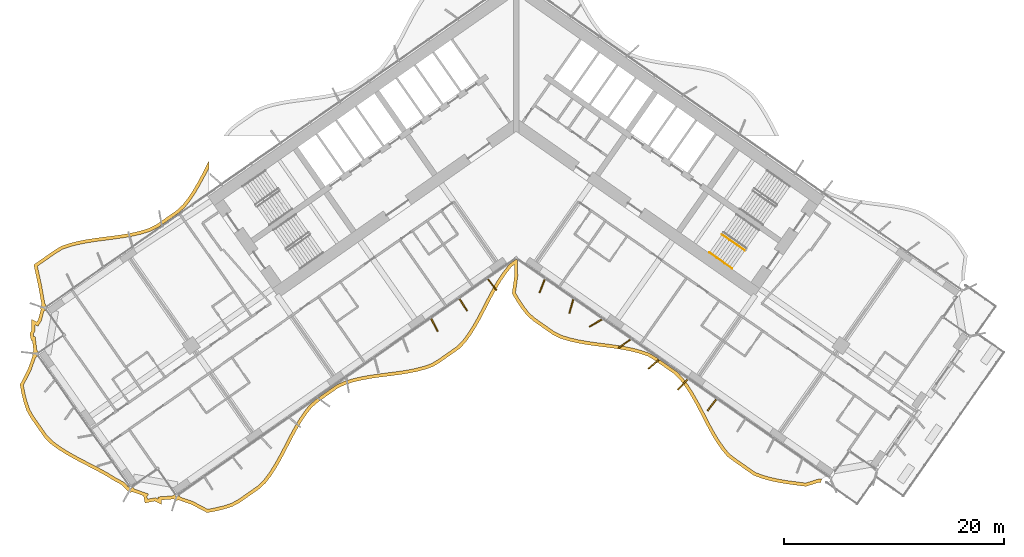
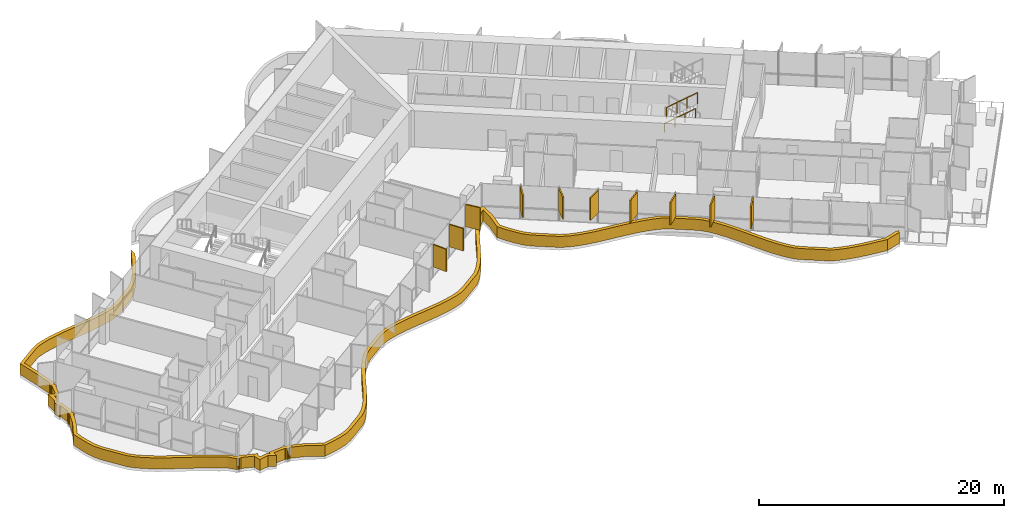
# One storey, part 21 of 25: 11 shading devices, 2 railings.
"""IFC4 building model written with IfcOpenShell, lengths in metres."""

from ifc_helpers import new_model, si_unit, direction, frame, origin, origin_2d, place, context, subcontext, project, spatial, polyline, rectangle, circle, outline, extrude, material, layer, layer_set, type_object, element, save


model = new_model("IFC4")

# Units and contexts
model_context = context("Model", 3, precision=1e-05, world=origin(), true_north=direction((0.0, 1.0)))
body_context = subcontext(model_context, "Body", "Model", "MODEL_VIEW")
ifc_project = project(units=[si_unit("LENGTHUNIT", "METRE"), si_unit("AREAUNIT", "SQUARE_METRE"), si_unit("VOLUMEUNIT", "CUBIC_METRE"), si_unit("PLANEANGLEUNIT", "RADIAN"), si_unit("MASSUNIT", "GRAM", prefix="KILO")], contexts=[model_context])

# Site, building, storey
site_placement = place(None, origin())
site = spatial("IfcSite", under=ifc_project, at=site_placement, CompositionType="ELEMENT")
building_placement = place(site_placement, origin())
building = spatial("IfcBuilding", under=site, at=building_placement, Name="Tel Ilan Convention Tower", CompositionType="ELEMENT")
storey_placement = place(building_placement, frame((0.0, 0.0, 76.10009765625)))
storey = spatial("IfcBuildingStorey", under=building, at=storey_placement, Name="L14", CompositionType="ELEMENT", Elevation=76.10009765625)

# Shading devices
ifc_material_1 = material(Name="Aluminium, bronze anodised", Category="aluminium")
ifc_layer_1 = layer(ifc_material_1, 0.1201171875)
ifc_layer_set_1 = layer_set([ifc_layer_1], Name="FIN BRONZE 1300x120")
shading_device_type_1 = type_object("IfcShadingDeviceType", Name="FIN BRONZE 1300x120", PredefinedType="USERDEFINED", material=ifc_layer_set_1)
for number, where, z_axis, x_axis, name in (
    (1, (-7.413330078125, -18.80419921875, 1.10009765625), (0.0, 0.0, 1.0), (0.448799180206, -0.893632640321, 0.0), "FIN"),
    (2, (-4.7919921875, -16.968994140625, 1.10009765625), (0.0, 0.0, 1.0), (0.533204432798, -0.845986425922, 0.0), "FIN"),
    (3, (-2.17041015625, -15.13330078125, 1.10009765625), (0.0, 0.0, 1.0), (0.612600545196, -0.790392669516, 0.0), "FIN"),
    (4, (2.35302734375, -15.2529296875, 1.10009765625), (0.0, 0.0, 1.0), (-0.360177724803, -0.932883704733, 0.0), "FIN"),
    (5, (5.004638671875, -17.094482421875, 1.10009765625), (0.0, 0.0, 1.0), (-0.268172612768, -0.963370878614, 0.0), "FIN"),
    (6, (7.2080078125, -18.61474609375, 1.10009765625), (0.0, 0.0, 1.0), (-0.866025403784, -0.5, 0.0), "FIN"),
    (7, (9.84033203125, -20.48046875, 1.10009765625), (0.0, 0.0, 1.0), (-0.813552070258, -0.581492071294, 0.0), "FIN"),
    (8, (12.4775390625, -22.34228515625, 1.10009765625), (0.0, 0.0, 1.0), (-0.753435896329, -0.657521368568, 0.0), "FIN"),
    (9, (15.11962890625, -24.2001953125, 1.10009765625), (0.0, 0.0, 1.0), (-0.686241637865, -0.727373641577, 0.0), "FIN"),
    (10, (17.765869140625, -26.053466796875, 1.10009765625), (0.0, 0.0, 1.0), (-0.612600545196, -0.790392669516, 0.0), "FIN"),
):
    element("IfcShadingDevice", number, at=place(storey_placement, frame(where, z_axis=z_axis, x_axis=x_axis)), inside=storey, type_object=shading_device_type_1, Name=name, ObjectType="FIN", PredefinedType="USERDEFINED", context=body_context, shape_type="SweptSolid", body=[
        extrude(rectangle(XDim=1.300048828125, YDim=0.1201171875, at=origin_2d()), origin(), (0.0, 0.0, 1.0), 2.219970703125),
    ])
ifc_material_2 = material(Name="Aluminium, bronze anodised", Category="aluminium")
ifc_layer_2 = layer(ifc_material_2, 0.300048828125)
ifc_layer_set_2 = layer_set([ifc_layer_2], Name="LOUVRE BAND 300x1100")
shading_device_type_2 = type_object("IfcShadingDeviceType", Name="LOUVRE BAND 300x1100", PredefinedType="USERDEFINED", material=ifc_layer_set_2)
shading_device_placement = place(storey_placement, origin())
element("IfcShadingDevice", 11, at=shading_device_placement, inside=storey, type_object=shading_device_type_2, Name="LOUVRE BAND 14.02", ObjectType="LOUVRE", PredefinedType="USERDEFINED", context=body_context, shape_type="SweptSolid", body=[
    extrude(outline(polyline([(-44.2939453125, -22.77490234375), (-45.028564453125, -24.204833984375), (-44.876953125, -25.01416015625), (-44.68408203125, -25.794677734375), (-44.4384765625, -26.538330078125), (-44.07080078125, -27.196533203125), (-42.7802734375, -29.03955078125), (-42.232421875, -29.571533203125), (-41.598876953125, -30.04345703125), (-40.91650390625, -30.481201171875), (-40.196533203125, -30.892822265625), (-39.45263671875, -31.287353515625), (-37.949462890625, -32.066162109375), (-37.219970703125, -32.470947265625), (-36.523681640625, -32.89892578125), (-35.783203125, -33.2958984375), (-35.26318359375, -33.847412109375), (-35.258544921875, -33.843994140625), (-35.2294921875, -33.887451171875), (-35.13232421875, -33.952392578125), (-35.017578125, -33.975341796875), (-34.902587890625, -33.952392578125), (-34.8486328125, -33.91650390625), (-33.810546875, -34.284912109375), (-33.821533203125, -34.302734375), (-33.688720703125, -34.9423828125), (-32.80029296875, -34.774658203125), (-32.20068359375, -35.082763671875), (-32.199462890625, -34.66796875), (-31.080322265625, -34.580810546875), (-31.051513671875, -34.624267578125), (-30.9541015625, -34.689208984375), (-30.83935546875, -34.7119140625), (-30.724365234375, -34.689208984375), (-30.67041015625, -34.653076171875), (-29.47802734375, -35.069091796875), (-28.049560546875, -35.822265625), (-27.250732421875, -35.676025390625), (-26.48095703125, -35.488525390625), (-25.74609375, -35.2509765625), (-25.0888671875, -34.90234375), (-23.27490234375, -33.63232421875), (-22.733642578125, -33.117919921875), (-22.262939453125, -32.50341796875), (-21.826416015625, -31.839599609375), (-21.4169921875, -31.13720703125), (-21.026123046875, -30.408935546875), (-20.2607421875, -28.927978515625), (-19.86669921875, -28.20361328125), (-19.45263671875, -27.5078125), (-19.010009765625, -26.85302734375), (-18.53173828125, -26.249267578125), (-17.96875, -25.76611328125), (-16.154541015625, -24.495849609375), (-15.474853515625, -24.1796875), (-14.732666015625, -23.952880859375), (-13.95654296875, -23.774169921875), (-13.154296875, -23.6328125), (-12.334716796875, -23.516357421875), (-10.681640625, -23.30322265625), (-9.86767578125, -23.178466796875), (-9.074951171875, -23.023681640625), (-8.3115234375, -22.8271484375), (-7.584228515625, -22.57861328125), (-6.9482421875, -22.2001953125), (-5.134033203125, -20.929931640625), (-4.616455078125, -20.38232421875), (-4.15283203125, -19.75732421875), (-3.722412109375, -19.0849609375), (-3.3173828125, -18.37646484375), (-2.9287109375, -17.644287109375), (-2.16259765625, -16.16455078125), (-1.765380859375, -15.44482421875), (-1.346435546875, -14.75634765625), (-0.897216796875, -14.110595703125), (-0.422119140625, -13.502197265625), (-0.16845703125, -13.315185546875), (-0.153564453125, -14.330078125), (-0.367919921875, -15.928955078125), (0.045166015625, -16.631591796875), (0.487060546875, -17.29296875), (0.964599609375, -17.90380859375), (1.52197265625, -18.400634765625), (3.343994140625, -19.676513671875), (4.02001953125, -20.003662109375), (4.763427734375, -20.234375), (5.54150390625, -20.416015625), (6.34619140625, -20.559326171875), (7.1689453125, -20.67724609375), (8.829345703125, -20.89111328125), (9.647216796875, -21.015625), (10.444091796875, -21.17041015625), (11.211669921875, -21.366943359375), (11.9423828125, -21.61572265625), (12.582275390625, -21.99462890625), (13.797119140625, -22.84521484375), (14.404541015625, -23.2705078125), (14.92333984375, -23.822021484375), (15.388427734375, -24.450439453125), (15.8203125, -25.12646484375), (16.2265625, -25.8388671875), (16.61669921875, -26.574462890625), (17.38623046875, -28.060546875), (17.785888671875, -28.782470703125), (18.2080078125, -29.47216796875), (18.660888671875, -30.1181640625), (19.1513671875, -30.71044921875), (19.742431640625, -31.158935546875), (21.564697265625, -32.4345703125), (22.281005859375, -32.7041015625), (23.03662109375, -32.917724609375), (23.824462890625, -33.08544921875), (24.635986328125, -33.218994140625), (26.29443359375, -33.435546875), (27.448974609375, -33.079345703125), (27.64990234375, -33.073486328125), (27.65380859375, -33.0185546875), (27.675048828125, -32.9228515625), (27.714599609375, -32.833251953125), (27.754150390625, -32.770263671875), (27.3994140625, -32.78076171875), (26.267822265625, -33.1298828125), (24.6806640625, -32.922119140625), (23.8798828125, -32.79052734375), (23.10888671875, -32.626220703125), (22.374755859375, -32.4189453125), (21.70556640625, -32.167236328125), (19.919189453125, -30.91650390625), (19.3603515625, -30.492431640625), (18.899658203125, -29.936279296875), (18.459228515625, -29.3076171875), (18.04541015625, -28.63134765625), (17.650634765625, -27.91845703125), (16.882568359375, -26.435791015625), (16.489501953125, -25.694091796875), (16.0771484375, -24.97119140625), (15.6357421875, -24.2802734375), (15.154052734375, -23.629150390625), (14.601806640625, -23.04248046875), (12.7451171875, -21.742431640625), (12.068603515625, -21.341796875), (11.29736328125, -21.0791015625), (10.510009765625, -20.87744140625), (9.698486328125, -20.719970703125), (8.871337890625, -20.593994140625), (7.209228515625, -20.3798828125), (6.393798828125, -20.26318359375), (5.60205078125, -20.1220703125), (4.84228515625, -19.94482421875), (4.13037109375, -19.723876953125), (3.496337890625, -19.4169921875), (1.70849609375, -18.1650390625), (1.184326171875, -17.697998046875), (0.73046875, -17.1171875), (0.299560546875, -16.471923828125), (-0.056884765625, -15.8662109375), (0.146728515625, -14.347900390625), (0.125732421875, -12.906005859375), (0.0, -12.818115234375), (-0.63330078125, -13.285400390625), (-1.138916015625, -13.9326171875), (-1.597900390625, -14.592529296875), (-2.025146484375, -15.294189453125), (-2.427001953125, -16.022705078125), (-3.19482421875, -17.50537109375), (-3.580078125, -18.231689453125), (-3.979248046875, -18.929443359375), (-4.39990234375, -19.5869140625), (-4.8466796875, -20.189208984375), (-5.3310546875, -20.70166015625), (-7.111083984375, -21.947998046875), (-7.7109375, -22.304931640625), (-8.3974609375, -22.53955078125), (-9.14111328125, -22.73095703125), (-9.919189453125, -22.8828125), (-10.723876953125, -23.006103515625), (-12.374755859375, -23.218994140625), (-13.201416015625, -23.33642578125), (-14.016357421875, -23.47998046875), (-14.810302734375, -23.662841796875), (-15.58251953125, -23.89892578125), (-16.30517578125, -24.235107421875), (-18.15283203125, -25.52880859375), (-18.748779296875, -26.040283203125), (-19.252197265625, -26.675537109375), (-19.7060546875, -27.346923828125), (-20.12744140625, -28.05517578125), (-20.525634765625, -28.787109375), (-21.29150390625, -30.26904296875), (-21.678955078125, -30.99072265625), (-22.08154296875, -31.681640625), (-22.507568359375, -32.32958984375), (-22.95751953125, -32.916748046875), (-23.46533203125, -33.3994140625), (-25.245849609375, -34.64599609375), (-25.86328125, -34.9736328125), (-26.5625, -35.19970703125), (-27.313232421875, -35.38232421875), (-28.00146484375, -35.508544921875), (-29.3583984375, -34.79296875), (-30.477294921875, -34.406005859375), (-30.593017578125, -34.24072265625), (-30.83935546875, -34.412109375), (-31.011474609375, -34.166259765625), (-31.189697265625, -34.291015625), (-32.498779296875, -34.3896484375), (-32.499267578125, -34.59228515625), (-32.7548828125, -34.4609375), (-33.454833984375, -34.593017578125), (-33.503662109375, -34.35791015625), (-33.361572265625, -34.124755859375), (-34.655029296875, -33.669921875), (-34.771240234375, -33.50390625), (-35.017578125, -33.67529296875), (-35.189453125, -33.429443359375), (-35.222900390625, -33.452880859375), (-35.598388671875, -33.054443359375), (-36.374267578125, -32.638671875), (-37.068603515625, -32.211669921875), (-37.807373046875, -31.802001953125), (-39.313720703125, -31.021240234375), (-40.052001953125, -30.6298828125), (-40.760986328125, -30.224609375), (-41.42822265625, -29.796630859375), (-42.03759765625, -29.342529296875), (-42.551025390625, -28.84423828125), (-43.81640625, -27.036865234375), (-44.16259765625, -26.4169921875), (-44.3955078125, -25.71142578125), (-44.583740234375, -24.950439453125), (-44.71484375, -24.25048828125), (-44.017822265625, -22.8935546875), (-43.61572265625, -21.75048828125), (-43.44970703125, -21.63427734375), (-43.62109375, -21.387939453125), (-43.37548828125, -21.216064453125), (-43.50439453125, -21.03173828125), (-43.650390625, -19.823974609375), (-43.779296875, -19.84814453125), (-43.828125, -19.613037109375), (-43.683837890625, -19.376220703125), (-43.681884765625, -18.75048828125), (-43.392822265625, -18.89892578125), (-43.088134765625, -18.399169921875), (-42.8681640625, -17.564697265625), (-42.712890625, -17.4560546875), (-42.88427734375, -17.2099609375), (-42.638671875, -17.037841796875), (-42.772705078125, -16.846435546875), (-43.07080078125, -15.1611328125), (-43.445556640625, -13.4521484375), (-41.779296875, -12.285400390625), (-41.1748046875, -11.917724609375), (-40.481201171875, -11.678466796875), (-39.728515625, -11.483642578125), (-38.940185546875, -11.32958984375), (-38.125, -11.204833984375), (-36.4521484375, -10.9892578125), (-35.61474609375, -10.869140625), (-34.790283203125, -10.7216796875), (-33.988037109375, -10.532958984375), (-33.2060546875, -10.2880859375), (-32.48779296875, -9.93017578125), (-30.61474609375, -8.61865234375), (-30.02783203125, -8.073974609375), (-29.527587890625, -7.424560546875), (-29.074462890625, -6.73681640625), (-28.652587890625, -6.013916015625), (-28.2529296875, -5.268798828125), (-27.874755859375, -4.535400390625), (-27.874755859375, -3.883544921875), (-28.518310546875, -5.129150390625), (-28.91455078125, -5.8671875), (-29.329345703125, -6.57861328125), (-29.772216796875, -7.250244140625), (-30.250244140625, -7.87109375), (-30.8037109375, -8.384765625), (-32.6416015625, -9.671630859375), (-33.318603515625, -10.0087890625), (-34.067138671875, -10.243408203125), (-34.85107421875, -10.427734375), (-35.66259765625, -10.572998046875), (-36.4921875, -10.69189453125), (-38.167236328125, -10.90771484375), (-38.99169921875, -11.033935546875), (-39.794921875, -11.19091796875), (-40.56787109375, -11.390869140625), (-41.30322265625, -11.64453125), (-41.943359375, -12.0341796875), (-43.78125, -13.321044921875), (-43.364990234375, -15.219482421875), (-43.05322265625, -16.96875), (-43.096435546875, -16.997802734375), (-43.16162109375, -17.094970703125), (-43.184326171875, -17.2099609375), (-43.16162109375, -17.32470703125), (-43.12548828125, -17.378662109375), (-43.3671875, -18.2802734375), (-43.50390625, -18.504638671875), (-43.98046875, -18.259765625), (-43.9833984375, -19.291748046875), (-44.14599609375, -19.55810546875), (-44.01318359375, -20.197509765625), (-43.90966796875, -20.177978515625), (-43.7900390625, -21.14697265625), (-43.833251953125, -21.17578125), (-43.898193359375, -21.273193359375), (-43.921142578125, -21.387939453125), (-43.898193359375, -21.5029296875), (-43.8623046875, -21.556884765625), (-44.2939453125, -22.77490234375)])), origin(), (0.0, 0.0, 1.0), 1.099853515625),
])

# Railings
ifc_material_3 = material(Name="Stainless Steel Grade 316", Category="steel")
railing_type_1 = type_object("IfcRailingType", Name="Stainless Steel Stair Guard 1100 mm", PredefinedType="GUARDRAIL", material=ifc_material_3)
railing_1_placement = place(storey_placement, frame((18.689208984375, -10.583740234375, 1.97998046875)))
element("IfcRailing", 12, at=railing_1_placement, inside=storey, type_object=railing_type_1, Name="L14 S4 stair guard 3", PredefinedType="GUARDRAIL", context=body_context, shape_type="SweptSolid", body=[
    extrude(circle(Radius=0.02392578125, at=origin_2d()), frame((0.0, 0.0, 1.076171875), z_axis=(0.689086176785, -0.482507007183, 0.540691436018), x_axis=(0.573579365141, 0.81914999352, 0.0)), (0.0, 0.0, 1.0), 2.995849609375),
    extrude(circle(Radius=0.02099609375, at=origin_2d()), origin(), (0.0, 0.0, 1.0), 1.052001953125),
    extrude(circle(Radius=0.02099609375, at=origin_2d()), frame((0.688232421875, -0.48193359375, 0.5400390625)), (0.0, 0.0, 1.0), 1.052001953125),
    extrude(circle(Radius=0.02099609375, at=origin_2d()), frame((1.376220703125, -0.963623046875, 1.079833984375)), (0.0, 0.0, 1.0), 1.052001953125),
    extrude(circle(Radius=0.02099609375, at=origin_2d()), frame((2.064453125, -1.445556640625, 1.619873046875)), (0.0, 0.0, 1.0), 1.052001953125),
])
ifc_material_4 = material(Name="Stainless Steel Grade 316", Category="steel")
railing_type_2 = type_object("IfcRailingType", Name="Stainless Steel Stair Handrail 900 mm", PredefinedType="HANDRAIL", material=ifc_material_4)
railing_2_placement = place(storey_placement, frame((17.542236328125, -12.22216796875, 1.97998046875)))
element("IfcRailing", 13, at=railing_2_placement, inside=storey, type_object=railing_type_2, Name="L14 S4 stair handrail 2", PredefinedType="HANDRAIL", context=body_context, shape_type="SweptSolid", body=[
    extrude(circle(Radius=0.02392578125, at=origin_2d()), frame((0.0, 0.0, 0.8759765625), z_axis=(0.68907047291, -0.482471578903, 0.540743061828), x_axis=(0.573559875649, 0.819163639968, 0.0)), (0.0, 0.0, 1.0), 2.99560546875),
    extrude(circle(Radius=0.02099609375, at=origin_2d()), origin(), (0.0, 0.0, 1.0), 0.851806640625),
    extrude(circle(Radius=0.02099609375, at=origin_2d()), frame((0.68798828125, -0.481689453125, 0.5400390625)), (0.0, 0.0, 1.0), 0.851806640625),
    extrude(circle(Radius=0.02099609375, at=origin_2d()), frame((1.376220703125, -0.963623046875, 1.079833984375)), (0.0, 0.0, 1.0), 0.851806640625),
    extrude(circle(Radius=0.02099609375, at=origin_2d()), frame((2.064208984375, -1.4453125, 1.619873046875)), (0.0, 0.0, 1.0), 0.851806640625),
])

save(model, "model.ifc")
